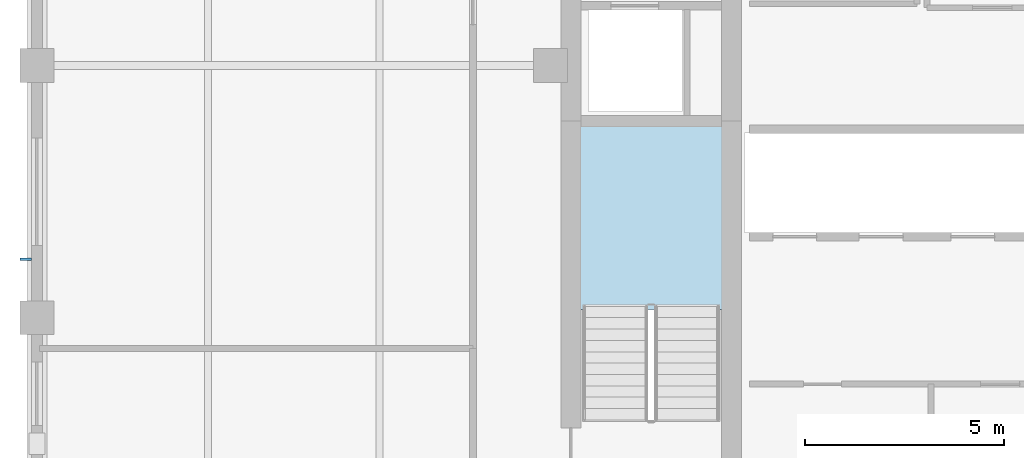
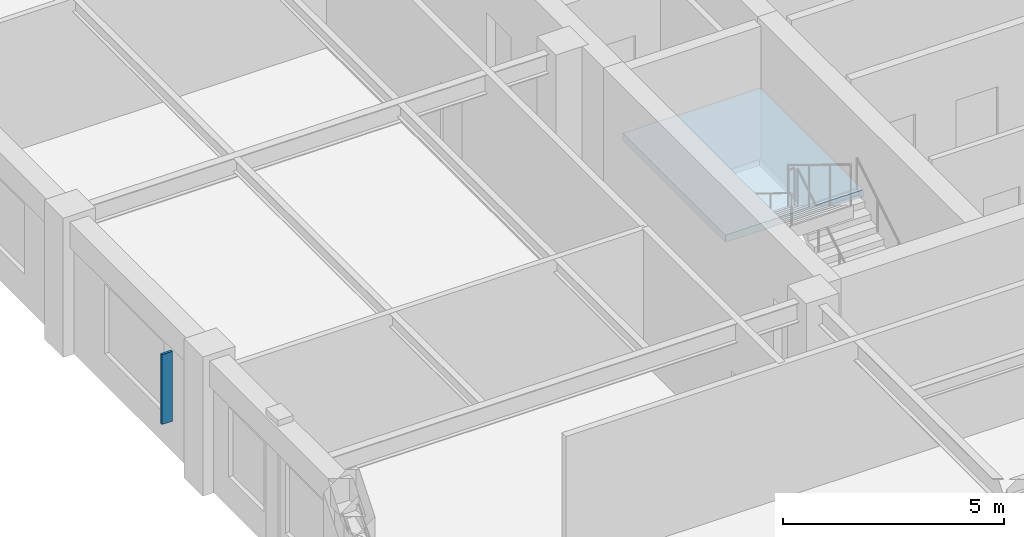
# One storey, part 6 of 13: 1 plate, 1 slab, 1 element without a shape of its own.
"""IFC4 building model written with IfcOpenShell, lengths in metres."""

from ifc_helpers import new_model, si_unit, direction, frame, origin, origin_2d, place, context, subcontext, project, spatial, polyline, rectangle, outline, extrude, material, layer, layer_set, type_object, element, aggregate, save


model = new_model("IFC4")

# Units and contexts
model_context = context("Model", 3, precision=1e-05, world=origin(), true_north=direction((0.0, 1.0)))
body_context = subcontext(model_context, "Body", "Model", "MODEL_VIEW")
ifc_project = project(units=[si_unit("LENGTHUNIT", "METRE"), si_unit("AREAUNIT", "SQUARE_METRE"), si_unit("VOLUMEUNIT", "CUBIC_METRE"), si_unit("PLANEANGLEUNIT", "RADIAN"), si_unit("MASSUNIT", "GRAM", prefix="KILO")], contexts=[model_context])

# Site, building, storey
site_placement = place(None, origin())
site = spatial("IfcSite", under=ifc_project, at=site_placement, CompositionType="ELEMENT")
building_placement = place(site_placement, origin())
building = spatial("IfcBuilding", under=site, at=building_placement, Name="Nhamokura Convention Tower", CompositionType="ELEMENT")
storey_placement = place(building_placement, frame((0.0, 0.0, 213.85009765625)))
storey = spatial("IfcBuildingStorey", under=building, at=storey_placement, Name="L52", CompositionType="ELEMENT", Elevation=213.85009765625)

# Plate
ifc_material_1 = material(Name="Anodised bronze aluminium AA6063-T6", Category="aluminium")
plate_type = type_object("IfcPlateType", Name="BronzeSolarFin_2", PredefinedType="USERDEFINED", material=ifc_material_1)
plate_placement = place(storey_placement, frame((7.469970703125, 27.13330078125, 0.849853515625), z_axis=(0.0, 0.0, 1.0), x_axis=(1.0, 0.0, 0.0)))
element("IfcPlate", 1, at=plate_placement, inside=storey, type_object=plate_type, Name="L52 Bronze Solar Shading Fin WEST 2", ObjectType="SOLAR_FIN", PredefinedType="USERDEFINED", context=body_context, shape_type="SweptSolid", body=[
    extrude(rectangle(XDim=0.280029296875, YDim=0.06005859375, at=origin_2d()), origin(), (0.0, 0.0, 1.0), 1.93505859375),
])

# Stair, slab
ifc_material_2 = material(Name="Concrete C40/50", Category="concrete")
stair_type = type_object("IfcStairType", Name="TowerCoreStair_1650", PredefinedType="HALF_TURN_STAIR", material=ifc_material_2)
stair_placement = place(storey_placement, origin())
stair = element("IfcStair", 2, at=stair_placement, inside=storey, type_object=stair_type, Name="L52 West Core Smokeproof Stair ST-01", PredefinedType="HALF_TURN_STAIR")
ifc_material_3 = material(Name="Concrete C40/50", Category="concrete")
ifc_layer = layer(ifc_material_3, 0.199951171875)
ifc_layer_set = layer_set([ifc_layer], Name="StairLandingSlab_200")
slab_type = type_object("IfcSlabType", Name="StairLandingSlab_200", PredefinedType="LANDING", material=ifc_layer_set)
slab_placement = place(storey_placement, frame((0.0, 0.0, 1.724853515625)))
slab = element("IfcSlab", 3, at=slab_placement, type_object=slab_type, Name="ST-01 landing 1", PredefinedType="LANDING", context=body_context, shape_type="SweptSolid", body=[
    extrude(outline(polyline([(24.97998046875, 25.8701171875), (24.97998046875, 30.530029296875), (21.3701171875, 30.530029296875), (21.3701171875, 25.8701171875), (24.97998046875, 25.8701171875)])), origin(), (0.0, 0.0, 1.0), 0.199951171875),
])
aggregate(stair, [slab])

save(model, "model.ifc")
